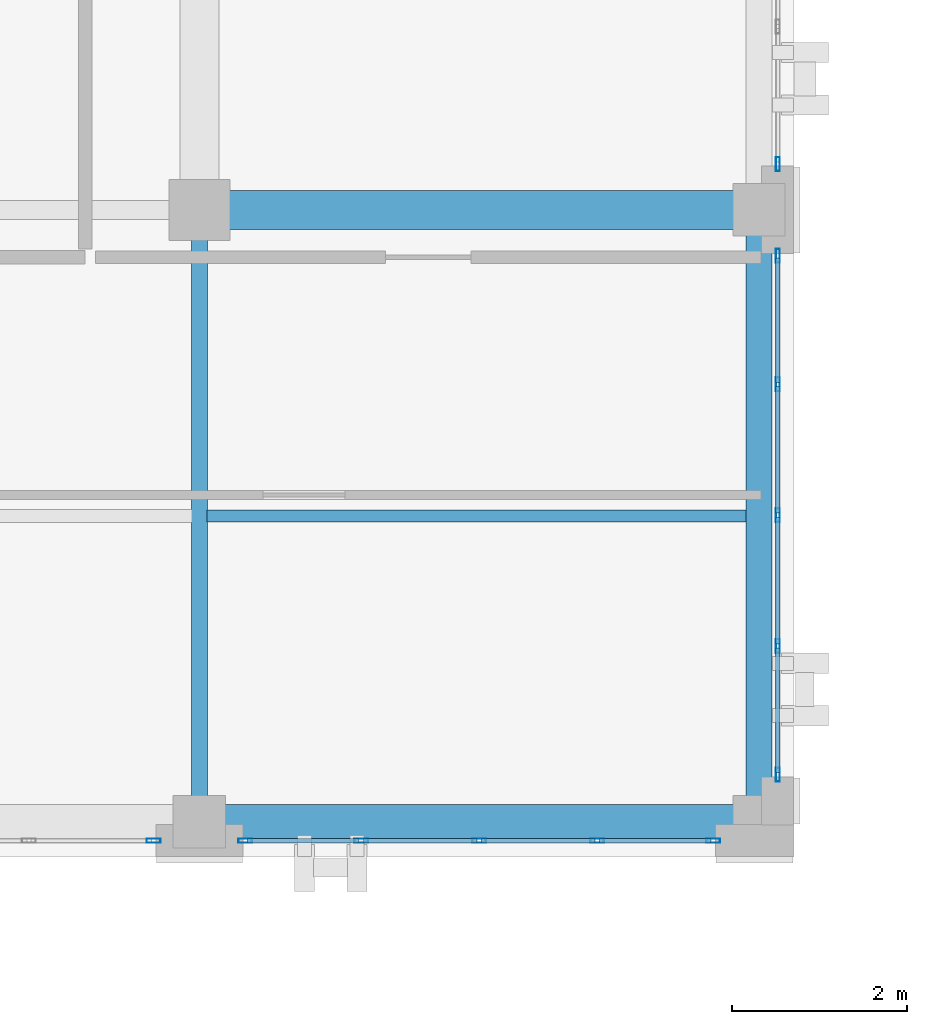
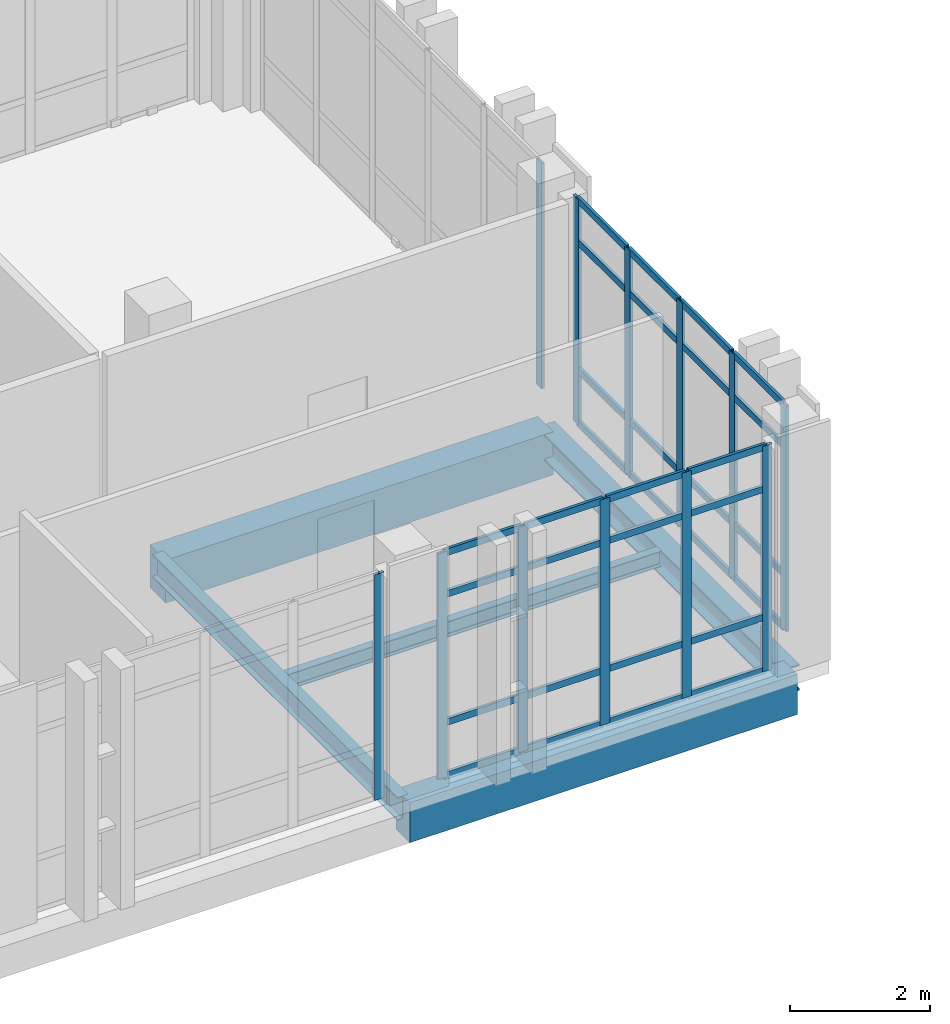
# One storey, part 26 of 77: 44 members, 5 beams, 4 elements without a shape of their own.
"""IFC4 building model written with IfcOpenShell, lengths in metres."""

from ifc_helpers import new_model, si_unit, direction, frame, origin, origin_2d, place, context, subcontext, project, spatial, rectangle, hollow_rectangle, i_section, extrude, material, layer, layer_set, material_profile, profile_set, type_object, element, aggregate, save


model = new_model("IFC4")

# Units and contexts
model_context = context("Model", 3, precision=1e-05, world=origin(), true_north=direction((0.0, 1.0)))
body_context = subcontext(model_context, "Body", "Model", "MODEL_VIEW")
ifc_project = project(units=[si_unit("LENGTHUNIT", "METRE"), si_unit("AREAUNIT", "SQUARE_METRE"), si_unit("VOLUMEUNIT", "CUBIC_METRE"), si_unit("PLANEANGLEUNIT", "RADIAN"), si_unit("MASSUNIT", "GRAM", prefix="KILO")], contexts=[model_context])

# Site, building, storey
site_placement = place(None, origin())
site = spatial("IfcSite", under=ifc_project, at=site_placement, CompositionType="ELEMENT")
building_placement = place(site_placement, origin())
building = spatial("IfcBuilding", under=site, at=building_placement, Name="Qalavern Law Courts", CompositionType="ELEMENT")
storey_placement = place(building_placement, frame((0.0, 0.0, 27.0)))
storey = spatial("IfcBuildingStorey", under=building, at=storey_placement, Name="L06", CompositionType="ELEMENT", Elevation=27.0)

# Curtain wall, member
ifc_material_1 = material(Name="Anodised aluminium and insulated glazing", Category="aluminium")
ifc_layer = layer(ifc_material_1, 0.166015625)
ifc_layer_set = layer_set([ifc_layer], Name="Anodised aluminium and insulated glazing")
curtain_wall_type = type_object("IfcCurtainWallType", Name="ENV-CW-LIB", PredefinedType="USERDEFINED", material=ifc_layer_set)
curtain_wall_1_placement = place(storey_placement, origin())
curtain_wall_1 = element("IfcCurtainWall", 1, at=curtain_wall_1_placement, inside=storey, type_object=curtain_wall_type, Name="V5 unitised curtain wall L06 south 4", ObjectType="UNITISED CURTAIN WALL", PredefinedType="USERDEFINED")
ifc_material_2 = material(Name="Anodised aluminium", Category="aluminium")
ifc_material_profile_1 = material_profile(ifc_material_2, hollow_rectangle(XDim=0.048095703125, YDim=0.159912109375, WallThickness=0.00390625, at=origin_2d()), Name="ALU MULLION 48x160")
ifc_profile_set_1 = profile_set([ifc_material_profile_1], Name="Anodised aluminium")
member_type_1 = type_object("IfcMemberType", Name="ENV-CWM-48x160", PredefinedType="MULLION", material=ifc_profile_set_1)
member_1_placement = place(storey_placement, frame((51.075927734375, 96.385009765625, 0.0), z_axis=(0.0, 0.0, 1.0), x_axis=(0.0, 1.0, 0.0)))
member_1 = element("IfcMember", 2, at=member_1_placement, type_object=member_type_1, Name="CW-05 mullion 5", PredefinedType="MULLION", context=body_context, shape_type="SweptSolid", body=[
    extrude(hollow_rectangle(XDim=0.048095703125, YDim=0.159912109375, WallThickness=0.00390625, at=origin_2d()), origin(), (0.0, 0.0, 1.0), 3.93505859375),
])
aggregate(curtain_wall_1, [member_1])

# Curtain wall, members
curtain_wall_2_placement = place(storey_placement, origin())
curtain_wall_2 = element("IfcCurtainWall", 3, at=curtain_wall_2_placement, inside=storey, type_object=curtain_wall_type, Name="V5 unitised curtain wall L06 south 5", ObjectType="UNITISED CURTAIN WALL", PredefinedType="USERDEFINED")
member_2_placement = place(storey_placement, frame((52.1240234375, 96.385009765625, 0.0), z_axis=(0.0, 0.0, 1.0), x_axis=(0.0, 1.0, 0.0)))
member_2 = element("IfcMember", 4, at=member_2_placement, type_object=member_type_1, Name="CW-05 mullion 1", PredefinedType="MULLION", context=body_context, shape_type="SweptSolid", body=[
    extrude(hollow_rectangle(XDim=0.048095703125, YDim=0.159912109375, WallThickness=0.00390625, at=origin_2d()), origin(), (0.0, 0.0, 1.0), 3.93505859375),
])
member_3_placement = place(storey_placement, frame((53.449951171875, 96.385009765625, 0.0), z_axis=(0.0, 0.0, 1.0), x_axis=(0.0, 1.0, 0.0)))
member_3 = element("IfcMember", 5, at=member_3_placement, type_object=member_type_1, Name="CW-05 mullion 2", PredefinedType="MULLION", context=body_context, shape_type="SweptSolid", body=[
    extrude(hollow_rectangle(XDim=0.048095703125, YDim=0.159912109375, WallThickness=0.00390625, at=origin_2d()), origin(), (0.0, 0.0, 1.0), 3.93505859375),
])
member_4_placement = place(storey_placement, frame((54.800048828125, 96.385009765625, 0.0), z_axis=(0.0, 0.0, 1.0), x_axis=(0.0, 1.0, 0.0)))
member_4 = element("IfcMember", 6, at=member_4_placement, type_object=member_type_1, Name="CW-05 mullion 3", PredefinedType="MULLION", context=body_context, shape_type="SweptSolid", body=[
    extrude(hollow_rectangle(XDim=0.048095703125, YDim=0.159912109375, WallThickness=0.00390625, at=origin_2d()), origin(), (0.0, 0.0, 1.0), 3.93505859375),
])
member_5_placement = place(storey_placement, frame((56.14990234375, 96.385009765625, 0.0), z_axis=(0.0, 0.0, 1.0), x_axis=(0.0, 1.0, 0.0)))
member_5 = element("IfcMember", 7, at=member_5_placement, type_object=member_type_1, Name="CW-05 mullion 4", PredefinedType="MULLION", context=body_context, shape_type="SweptSolid", body=[
    extrude(hollow_rectangle(XDim=0.048095703125, YDim=0.159912109375, WallThickness=0.00390625, at=origin_2d()), origin(), (0.0, 0.0, 1.0), 3.93505859375),
])
member_6_placement = place(storey_placement, frame((57.47607421875, 96.385009765625, 0.0), z_axis=(0.0, 0.0, 1.0), x_axis=(0.0, 1.0, 0.0)))
member_6 = element("IfcMember", 8, at=member_6_placement, type_object=member_type_1, Name="CW-05 mullion 5", PredefinedType="MULLION", context=body_context, shape_type="SweptSolid", body=[
    extrude(hollow_rectangle(XDim=0.048095703125, YDim=0.159912109375, WallThickness=0.00390625, at=origin_2d()), origin(), (0.0, 0.0, 1.0), 3.93505859375),
])

curtain_wall_3_placement = place(storey_placement, origin())
curtain_wall_3 = element("IfcCurtainWall", 9, at=curtain_wall_3_placement, inside=storey, type_object=curtain_wall_type, Name="V5 unitised curtain wall L06 east 1", ObjectType="UNITISED CURTAIN WALL", PredefinedType="USERDEFINED")
member_7_placement = place(storey_placement, frame((58.215087890625, 97.138916015625, 0.0), z_axis=(0.0, 0.0, 1.0), x_axis=(-1.0, 0.0, 0.0)))
member_7 = element("IfcMember", 10, at=member_7_placement, type_object=member_type_1, Name="CW-05 mullion 1", PredefinedType="MULLION", context=body_context, shape_type="SweptSolid", body=[
    extrude(hollow_rectangle(XDim=0.048095703125, YDim=0.159912109375, WallThickness=0.00390625, at=origin_2d()), origin(), (0.0, 0.0, 1.0), 3.93505859375),
])
member_8_placement = place(storey_placement, frame((58.215087890625, 98.611328125, 0.0), z_axis=(0.0, 0.0, 1.0), x_axis=(-1.0, 0.0, 0.0)))
member_8 = element("IfcMember", 11, at=member_8_placement, type_object=member_type_1, Name="CW-05 mullion 2", PredefinedType="MULLION", context=body_context, shape_type="SweptSolid", body=[
    extrude(hollow_rectangle(XDim=0.048095703125, YDim=0.159912109375, WallThickness=0.00390625, at=origin_2d()), origin(), (0.0, 0.0, 1.0), 3.93505859375),
])
member_9_placement = place(storey_placement, frame((58.215087890625, 100.107421875, 0.0), z_axis=(0.0, 0.0, 1.0), x_axis=(-1.0, 0.0, 0.0)))
member_9 = element("IfcMember", 12, at=member_9_placement, type_object=member_type_1, Name="CW-05 mullion 3", PredefinedType="MULLION", context=body_context, shape_type="SweptSolid", body=[
    extrude(hollow_rectangle(XDim=0.048095703125, YDim=0.159912109375, WallThickness=0.00390625, at=origin_2d()), origin(), (0.0, 0.0, 1.0), 3.93505859375),
])
member_10_placement = place(storey_placement, frame((58.215087890625, 101.603759765625, 0.0), z_axis=(0.0, 0.0, 1.0), x_axis=(-1.0, 0.0, 0.0)))
member_10 = element("IfcMember", 13, at=member_10_placement, type_object=member_type_1, Name="CW-05 mullion 4", PredefinedType="MULLION", context=body_context, shape_type="SweptSolid", body=[
    extrude(hollow_rectangle(XDim=0.048095703125, YDim=0.159912109375, WallThickness=0.00390625, at=origin_2d()), origin(), (0.0, 0.0, 1.0), 3.93505859375),
])
member_11_placement = place(storey_placement, frame((58.215087890625, 103.075927734375, 0.0), z_axis=(0.0, 0.0, 1.0), x_axis=(-1.0, 0.0, 0.0)))
member_11 = element("IfcMember", 14, at=member_11_placement, type_object=member_type_1, Name="CW-05 mullion 5", PredefinedType="MULLION", context=body_context, shape_type="SweptSolid", body=[
    extrude(hollow_rectangle(XDim=0.048095703125, YDim=0.159912109375, WallThickness=0.00390625, at=origin_2d()), origin(), (0.0, 0.0, 1.0), 3.93505859375),
])

# Curtain wall, member
curtain_wall_4_placement = place(storey_placement, origin())
curtain_wall_4 = element("IfcCurtainWall", 15, at=curtain_wall_4_placement, inside=storey, type_object=curtain_wall_type, Name="V5 unitised curtain wall L06 east 2", ObjectType="UNITISED CURTAIN WALL", PredefinedType="USERDEFINED")
member_12_placement = place(storey_placement, frame((58.215087890625, 104.1240234375, 0.0), z_axis=(0.0, 0.0, 1.0), x_axis=(-1.0, 0.0, 0.0)))
member_12 = element("IfcMember", 16, at=member_12_placement, type_object=member_type_1, Name="CW-05 mullion 1", PredefinedType="MULLION", context=body_context, shape_type="SweptSolid", body=[
    extrude(hollow_rectangle(XDim=0.048095703125, YDim=0.159912109375, WallThickness=0.00390625, at=origin_2d()), origin(), (0.0, 0.0, 1.0), 3.93505859375),
])
aggregate(curtain_wall_4, [member_12])

# Member
ifc_material_profile_2 = material_profile(ifc_material_2, hollow_rectangle(XDim=0.048095703125, YDim=0.1201171875, WallThickness=0.00390625, at=origin_2d()), Name="ALU TRANSOM 48x120")
ifc_profile_set_2 = profile_set([ifc_material_profile_2], Name="Anodised aluminium")
member_type_2 = type_object("IfcMemberType", Name="ENV-CWT-48x120", PredefinedType="USERDEFINED", material=ifc_profile_set_2)
member_13_placement = place(storey_placement, frame((52.14794921875, 96.385009765625, 0.02392578125), z_axis=(1.0, 0.0, 0.0), x_axis=(0.0, 1.0, 0.0)))
member_13 = element("IfcMember", 17, at=member_13_placement, type_object=member_type_2, Name="CW-05 transom 1.1", ObjectType="TRANSOM", PredefinedType="USERDEFINED", context=body_context, shape_type="SweptSolid", body=[
    extrude(hollow_rectangle(XDim=0.048095703125, YDim=0.1201171875, WallThickness=0.00390625, at=origin_2d()), origin(), (0.0, 0.0, 1.0), 1.278076171875),
])

member_14_placement = place(storey_placement, frame((52.14794921875, 96.385009765625, 0.949951171875), z_axis=(1.0, 0.0, 0.0), x_axis=(0.0, 1.0, 0.0)))
member_14 = element("IfcMember", 18, at=member_14_placement, type_object=member_type_2, Name="CW-05 transom 1.2", ObjectType="TRANSOM", PredefinedType="USERDEFINED", context=body_context, shape_type="SweptSolid", body=[
    extrude(hollow_rectangle(XDim=0.048095703125, YDim=0.1201171875, WallThickness=0.00390625, at=origin_2d()), origin(), (0.0, 0.0, 1.0), 1.278076171875),
])

member_15_placement = place(storey_placement, frame((52.14794921875, 96.385009765625, 3.18505859375), z_axis=(1.0, 0.0, 0.0), x_axis=(0.0, 1.0, 0.0)))
member_15 = element("IfcMember", 19, at=member_15_placement, type_object=member_type_2, Name="CW-05 transom 1.3", ObjectType="TRANSOM", PredefinedType="USERDEFINED", context=body_context, shape_type="SweptSolid", body=[
    extrude(hollow_rectangle(XDim=0.048095703125, YDim=0.1201171875, WallThickness=0.00390625, at=origin_2d()), origin(), (0.0, 0.0, 1.0), 1.278076171875),
])

member_16_placement = place(storey_placement, frame((52.14794921875, 96.385009765625, 3.910888671875), z_axis=(1.0, 0.0, 0.0), x_axis=(0.0, 1.0, 0.0)))
member_16 = element("IfcMember", 20, at=member_16_placement, type_object=member_type_2, Name="CW-05 transom 1.4", ObjectType="TRANSOM", PredefinedType="USERDEFINED", context=body_context, shape_type="SweptSolid", body=[
    extrude(hollow_rectangle(XDim=0.048095703125, YDim=0.1201171875, WallThickness=0.00390625, at=origin_2d()), origin(), (0.0, 0.0, 1.0), 1.278076171875),
])

member_17_placement = place(storey_placement, frame((53.47412109375, 96.385009765625, 0.02392578125), z_axis=(1.0, 0.0, 0.0), x_axis=(0.0, 1.0, 0.0)))
member_17 = element("IfcMember", 21, at=member_17_placement, type_object=member_type_2, Name="CW-05 transom 2.1", ObjectType="TRANSOM", PredefinedType="USERDEFINED", context=body_context, shape_type="SweptSolid", body=[
    extrude(hollow_rectangle(XDim=0.048095703125, YDim=0.1201171875, WallThickness=0.00390625, at=origin_2d()), origin(), (0.0, 0.0, 1.0), 1.3017578125),
])

member_18_placement = place(storey_placement, frame((53.47412109375, 96.385009765625, 0.949951171875), z_axis=(1.0, 0.0, 0.0), x_axis=(0.0, 1.0, 0.0)))
member_18 = element("IfcMember", 22, at=member_18_placement, type_object=member_type_2, Name="CW-05 transom 2.2", ObjectType="TRANSOM", PredefinedType="USERDEFINED", context=body_context, shape_type="SweptSolid", body=[
    extrude(hollow_rectangle(XDim=0.048095703125, YDim=0.1201171875, WallThickness=0.00390625, at=origin_2d()), origin(), (0.0, 0.0, 1.0), 1.3017578125),
])

member_19_placement = place(storey_placement, frame((53.47412109375, 96.385009765625, 3.18505859375), z_axis=(1.0, 0.0, 0.0), x_axis=(0.0, 1.0, 0.0)))
member_19 = element("IfcMember", 23, at=member_19_placement, type_object=member_type_2, Name="CW-05 transom 2.3", ObjectType="TRANSOM", PredefinedType="USERDEFINED", context=body_context, shape_type="SweptSolid", body=[
    extrude(hollow_rectangle(XDim=0.048095703125, YDim=0.1201171875, WallThickness=0.00390625, at=origin_2d()), origin(), (0.0, 0.0, 1.0), 1.3017578125),
])

member_20_placement = place(storey_placement, frame((53.47412109375, 96.385009765625, 3.910888671875), z_axis=(1.0, 0.0, 0.0), x_axis=(0.0, 1.0, 0.0)))
member_20 = element("IfcMember", 24, at=member_20_placement, type_object=member_type_2, Name="CW-05 transom 2.4", ObjectType="TRANSOM", PredefinedType="USERDEFINED", context=body_context, shape_type="SweptSolid", body=[
    extrude(hollow_rectangle(XDim=0.048095703125, YDim=0.1201171875, WallThickness=0.00390625, at=origin_2d()), origin(), (0.0, 0.0, 1.0), 1.3017578125),
])

member_21_placement = place(storey_placement, frame((54.823974609375, 96.385009765625, 0.02392578125), z_axis=(1.0, 0.0, 0.0), x_axis=(0.0, 1.0, 0.0)))
member_21 = element("IfcMember", 25, at=member_21_placement, type_object=member_type_2, Name="CW-05 transom 3.1", ObjectType="TRANSOM", PredefinedType="USERDEFINED", context=body_context, shape_type="SweptSolid", body=[
    extrude(hollow_rectangle(XDim=0.048095703125, YDim=0.1201171875, WallThickness=0.00390625, at=origin_2d()), origin(), (0.0, 0.0, 1.0), 1.302001953125),
])

member_22_placement = place(storey_placement, frame((54.823974609375, 96.385009765625, 0.949951171875), z_axis=(1.0, 0.0, 0.0), x_axis=(0.0, 1.0, 0.0)))
member_22 = element("IfcMember", 26, at=member_22_placement, type_object=member_type_2, Name="CW-05 transom 3.2", ObjectType="TRANSOM", PredefinedType="USERDEFINED", context=body_context, shape_type="SweptSolid", body=[
    extrude(hollow_rectangle(XDim=0.048095703125, YDim=0.1201171875, WallThickness=0.00390625, at=origin_2d()), origin(), (0.0, 0.0, 1.0), 1.302001953125),
])

member_23_placement = place(storey_placement, frame((54.823974609375, 96.385009765625, 3.18505859375), z_axis=(1.0, 0.0, 0.0), x_axis=(0.0, 1.0, 0.0)))
member_23 = element("IfcMember", 27, at=member_23_placement, type_object=member_type_2, Name="CW-05 transom 3.3", ObjectType="TRANSOM", PredefinedType="USERDEFINED", context=body_context, shape_type="SweptSolid", body=[
    extrude(hollow_rectangle(XDim=0.048095703125, YDim=0.1201171875, WallThickness=0.00390625, at=origin_2d()), origin(), (0.0, 0.0, 1.0), 1.302001953125),
])

member_24_placement = place(storey_placement, frame((54.823974609375, 96.385009765625, 3.910888671875), z_axis=(1.0, 0.0, 0.0), x_axis=(0.0, 1.0, 0.0)))
member_24 = element("IfcMember", 28, at=member_24_placement, type_object=member_type_2, Name="CW-05 transom 3.4", ObjectType="TRANSOM", PredefinedType="USERDEFINED", context=body_context, shape_type="SweptSolid", body=[
    extrude(hollow_rectangle(XDim=0.048095703125, YDim=0.1201171875, WallThickness=0.00390625, at=origin_2d()), origin(), (0.0, 0.0, 1.0), 1.302001953125),
])

member_25_placement = place(storey_placement, frame((56.174072265625, 96.385009765625, 0.02392578125), z_axis=(1.0, 0.0, 0.0), x_axis=(0.0, 1.0, 0.0)))
member_25 = element("IfcMember", 29, at=member_25_placement, type_object=member_type_2, Name="CW-05 transom 4.1", ObjectType="TRANSOM", PredefinedType="USERDEFINED", context=body_context, shape_type="SweptSolid", body=[
    extrude(hollow_rectangle(XDim=0.048095703125, YDim=0.1201171875, WallThickness=0.00390625, at=origin_2d()), origin(), (0.0, 0.0, 1.0), 1.27783203125),
])

member_26_placement = place(storey_placement, frame((56.174072265625, 96.385009765625, 0.949951171875), z_axis=(1.0, 0.0, 0.0), x_axis=(0.0, 1.0, 0.0)))
member_26 = element("IfcMember", 30, at=member_26_placement, type_object=member_type_2, Name="CW-05 transom 4.2", ObjectType="TRANSOM", PredefinedType="USERDEFINED", context=body_context, shape_type="SweptSolid", body=[
    extrude(hollow_rectangle(XDim=0.048095703125, YDim=0.1201171875, WallThickness=0.00390625, at=origin_2d()), origin(), (0.0, 0.0, 1.0), 1.27783203125),
])

member_27_placement = place(storey_placement, frame((56.174072265625, 96.385009765625, 3.18505859375), z_axis=(1.0, 0.0, 0.0), x_axis=(0.0, 1.0, 0.0)))
member_27 = element("IfcMember", 31, at=member_27_placement, type_object=member_type_2, Name="CW-05 transom 4.3", ObjectType="TRANSOM", PredefinedType="USERDEFINED", context=body_context, shape_type="SweptSolid", body=[
    extrude(hollow_rectangle(XDim=0.048095703125, YDim=0.1201171875, WallThickness=0.00390625, at=origin_2d()), origin(), (0.0, 0.0, 1.0), 1.27783203125),
])

member_28_placement = place(storey_placement, frame((56.174072265625, 96.385009765625, 3.910888671875), z_axis=(1.0, 0.0, 0.0), x_axis=(0.0, 1.0, 0.0)))
member_28 = element("IfcMember", 32, at=member_28_placement, type_object=member_type_2, Name="CW-05 transom 4.4", ObjectType="TRANSOM", PredefinedType="USERDEFINED", context=body_context, shape_type="SweptSolid", body=[
    extrude(hollow_rectangle(XDim=0.048095703125, YDim=0.1201171875, WallThickness=0.00390625, at=origin_2d()), origin(), (0.0, 0.0, 1.0), 1.27783203125),
])

aggregate(curtain_wall_2, [member_2, member_3, member_4, member_5, member_6, member_13, member_14, member_15, member_16, member_17, member_18, member_19, member_20, member_21, member_22, member_23, member_24, member_25, member_26, member_27, member_28])

member_29_placement = place(storey_placement, frame((58.215087890625, 97.1630859375, 0.02392578125), z_axis=(0.0, 1.0, 0.0), x_axis=(-1.0, 0.0, 0.0)))
member_29 = element("IfcMember", 33, at=member_29_placement, type_object=member_type_2, Name="CW-05 transom 1.1", ObjectType="TRANSOM", PredefinedType="USERDEFINED", context=body_context, shape_type="SweptSolid", body=[
    extrude(hollow_rectangle(XDim=0.048095703125, YDim=0.1201171875, WallThickness=0.00390625, at=origin_2d()), origin(), (0.0, 0.0, 1.0), 1.424072265625),
])

member_30_placement = place(storey_placement, frame((58.215087890625, 97.1630859375, 0.949951171875), z_axis=(0.0, 1.0, 0.0), x_axis=(-1.0, 0.0, 0.0)))
member_30 = element("IfcMember", 34, at=member_30_placement, type_object=member_type_2, Name="CW-05 transom 1.2", ObjectType="TRANSOM", PredefinedType="USERDEFINED", context=body_context, shape_type="SweptSolid", body=[
    extrude(hollow_rectangle(XDim=0.048095703125, YDim=0.1201171875, WallThickness=0.00390625, at=origin_2d()), origin(), (0.0, 0.0, 1.0), 1.424072265625),
])

member_31_placement = place(storey_placement, frame((58.215087890625, 97.1630859375, 3.18505859375), z_axis=(0.0, 1.0, 0.0), x_axis=(-1.0, 0.0, 0.0)))
member_31 = element("IfcMember", 35, at=member_31_placement, type_object=member_type_2, Name="CW-05 transom 1.3", ObjectType="TRANSOM", PredefinedType="USERDEFINED", context=body_context, shape_type="SweptSolid", body=[
    extrude(hollow_rectangle(XDim=0.048095703125, YDim=0.1201171875, WallThickness=0.00390625, at=origin_2d()), origin(), (0.0, 0.0, 1.0), 1.424072265625),
])

member_32_placement = place(storey_placement, frame((58.215087890625, 97.1630859375, 3.910888671875), z_axis=(0.0, 1.0, 0.0), x_axis=(-1.0, 0.0, 0.0)))
member_32 = element("IfcMember", 36, at=member_32_placement, type_object=member_type_2, Name="CW-05 transom 1.4", ObjectType="TRANSOM", PredefinedType="USERDEFINED", context=body_context, shape_type="SweptSolid", body=[
    extrude(hollow_rectangle(XDim=0.048095703125, YDim=0.1201171875, WallThickness=0.00390625, at=origin_2d()), origin(), (0.0, 0.0, 1.0), 1.424072265625),
])

member_33_placement = place(storey_placement, frame((58.215087890625, 98.63525390625, 0.02392578125), z_axis=(0.0, 1.0, 0.0), x_axis=(-1.0, 0.0, 0.0)))
member_33 = element("IfcMember", 37, at=member_33_placement, type_object=member_type_2, Name="CW-05 transom 2.1", ObjectType="TRANSOM", PredefinedType="USERDEFINED", context=body_context, shape_type="SweptSolid", body=[
    extrude(hollow_rectangle(XDim=0.048095703125, YDim=0.1201171875, WallThickness=0.00390625, at=origin_2d()), origin(), (0.0, 0.0, 1.0), 1.4482421875),
])

member_34_placement = place(storey_placement, frame((58.215087890625, 98.63525390625, 0.949951171875), z_axis=(0.0, 1.0, 0.0), x_axis=(-1.0, 0.0, 0.0)))
member_34 = element("IfcMember", 38, at=member_34_placement, type_object=member_type_2, Name="CW-05 transom 2.2", ObjectType="TRANSOM", PredefinedType="USERDEFINED", context=body_context, shape_type="SweptSolid", body=[
    extrude(hollow_rectangle(XDim=0.048095703125, YDim=0.1201171875, WallThickness=0.00390625, at=origin_2d()), origin(), (0.0, 0.0, 1.0), 1.4482421875),
])

member_35_placement = place(storey_placement, frame((58.215087890625, 98.63525390625, 3.18505859375), z_axis=(0.0, 1.0, 0.0), x_axis=(-1.0, 0.0, 0.0)))
member_35 = element("IfcMember", 39, at=member_35_placement, type_object=member_type_2, Name="CW-05 transom 2.3", ObjectType="TRANSOM", PredefinedType="USERDEFINED", context=body_context, shape_type="SweptSolid", body=[
    extrude(hollow_rectangle(XDim=0.048095703125, YDim=0.1201171875, WallThickness=0.00390625, at=origin_2d()), origin(), (0.0, 0.0, 1.0), 1.4482421875),
])

member_36_placement = place(storey_placement, frame((58.215087890625, 98.63525390625, 3.910888671875), z_axis=(0.0, 1.0, 0.0), x_axis=(-1.0, 0.0, 0.0)))
member_36 = element("IfcMember", 40, at=member_36_placement, type_object=member_type_2, Name="CW-05 transom 2.4", ObjectType="TRANSOM", PredefinedType="USERDEFINED", context=body_context, shape_type="SweptSolid", body=[
    extrude(hollow_rectangle(XDim=0.048095703125, YDim=0.1201171875, WallThickness=0.00390625, at=origin_2d()), origin(), (0.0, 0.0, 1.0), 1.4482421875),
])

member_37_placement = place(storey_placement, frame((58.215087890625, 100.131591796875, 0.02392578125), z_axis=(0.0, 1.0, 0.0), x_axis=(-1.0, 0.0, 0.0)))
member_37 = element("IfcMember", 41, at=member_37_placement, type_object=member_type_2, Name="CW-05 transom 3.1", ObjectType="TRANSOM", PredefinedType="USERDEFINED", context=body_context, shape_type="SweptSolid", body=[
    extrude(hollow_rectangle(XDim=0.048095703125, YDim=0.1201171875, WallThickness=0.00390625, at=origin_2d()), origin(), (0.0, 0.0, 1.0), 1.4482421875),
])

member_38_placement = place(storey_placement, frame((58.215087890625, 100.131591796875, 0.949951171875), z_axis=(0.0, 1.0, 0.0), x_axis=(-1.0, 0.0, 0.0)))
member_38 = element("IfcMember", 42, at=member_38_placement, type_object=member_type_2, Name="CW-05 transom 3.2", ObjectType="TRANSOM", PredefinedType="USERDEFINED", context=body_context, shape_type="SweptSolid", body=[
    extrude(hollow_rectangle(XDim=0.048095703125, YDim=0.1201171875, WallThickness=0.00390625, at=origin_2d()), origin(), (0.0, 0.0, 1.0), 1.4482421875),
])

member_39_placement = place(storey_placement, frame((58.215087890625, 100.131591796875, 3.18505859375), z_axis=(0.0, 1.0, 0.0), x_axis=(-1.0, 0.0, 0.0)))
member_39 = element("IfcMember", 43, at=member_39_placement, type_object=member_type_2, Name="CW-05 transom 3.3", ObjectType="TRANSOM", PredefinedType="USERDEFINED", context=body_context, shape_type="SweptSolid", body=[
    extrude(hollow_rectangle(XDim=0.048095703125, YDim=0.1201171875, WallThickness=0.00390625, at=origin_2d()), origin(), (0.0, 0.0, 1.0), 1.4482421875),
])

member_40_placement = place(storey_placement, frame((58.215087890625, 100.131591796875, 3.910888671875), z_axis=(0.0, 1.0, 0.0), x_axis=(-1.0, 0.0, 0.0)))
member_40 = element("IfcMember", 44, at=member_40_placement, type_object=member_type_2, Name="CW-05 transom 3.4", ObjectType="TRANSOM", PredefinedType="USERDEFINED", context=body_context, shape_type="SweptSolid", body=[
    extrude(hollow_rectangle(XDim=0.048095703125, YDim=0.1201171875, WallThickness=0.00390625, at=origin_2d()), origin(), (0.0, 0.0, 1.0), 1.4482421875),
])

member_41_placement = place(storey_placement, frame((58.215087890625, 101.627685546875, 0.02392578125), z_axis=(0.0, 1.0, 0.0), x_axis=(-1.0, 0.0, 0.0)))
member_41 = element("IfcMember", 45, at=member_41_placement, type_object=member_type_2, Name="CW-05 transom 4.1", ObjectType="TRANSOM", PredefinedType="USERDEFINED", context=body_context, shape_type="SweptSolid", body=[
    extrude(hollow_rectangle(XDim=0.048095703125, YDim=0.1201171875, WallThickness=0.00390625, at=origin_2d()), origin(), (0.0, 0.0, 1.0), 1.42431640625),
])

member_42_placement = place(storey_placement, frame((58.215087890625, 101.627685546875, 0.949951171875), z_axis=(0.0, 1.0, 0.0), x_axis=(-1.0, 0.0, 0.0)))
member_42 = element("IfcMember", 46, at=member_42_placement, type_object=member_type_2, Name="CW-05 transom 4.2", ObjectType="TRANSOM", PredefinedType="USERDEFINED", context=body_context, shape_type="SweptSolid", body=[
    extrude(hollow_rectangle(XDim=0.048095703125, YDim=0.1201171875, WallThickness=0.00390625, at=origin_2d()), origin(), (0.0, 0.0, 1.0), 1.42431640625),
])

member_43_placement = place(storey_placement, frame((58.215087890625, 101.627685546875, 3.18505859375), z_axis=(0.0, 1.0, 0.0), x_axis=(-1.0, 0.0, 0.0)))
member_43 = element("IfcMember", 47, at=member_43_placement, type_object=member_type_2, Name="CW-05 transom 4.3", ObjectType="TRANSOM", PredefinedType="USERDEFINED", context=body_context, shape_type="SweptSolid", body=[
    extrude(hollow_rectangle(XDim=0.048095703125, YDim=0.1201171875, WallThickness=0.00390625, at=origin_2d()), origin(), (0.0, 0.0, 1.0), 1.42431640625),
])

member_44_placement = place(storey_placement, frame((58.215087890625, 101.627685546875, 3.910888671875), z_axis=(0.0, 1.0, 0.0), x_axis=(-1.0, 0.0, 0.0)))
member_44 = element("IfcMember", 48, at=member_44_placement, type_object=member_type_2, Name="CW-05 transom 4.4", ObjectType="TRANSOM", PredefinedType="USERDEFINED", context=body_context, shape_type="SweptSolid", body=[
    extrude(hollow_rectangle(XDim=0.048095703125, YDim=0.1201171875, WallThickness=0.00390625, at=origin_2d()), origin(), (0.0, 0.0, 1.0), 1.42431640625),
])

aggregate(curtain_wall_3, [member_7, member_8, member_9, member_10, member_11, member_29, member_30, member_31, member_32, member_33, member_34, member_35, member_36, member_37, member_38, member_39, member_40, member_41, member_42, member_43, member_44])

# Beams
ifc_material_3 = material(Name="Steel S355", Category="steel")
ifc_material_profile_3 = material_profile(ifc_material_3, i_section(OverallWidth=0.179931640625, OverallDepth=0.39990234375, WebThickness=0.008544921875, FlangeThickness=0.013427734375, FilletRadius=0.02099609375, at=origin_2d()), Name="IPE 400")
ifc_profile_set_3 = profile_set([ifc_material_profile_3], Name="Steel S355")
beam_type_1 = type_object("IfcBeamType", Name="STR-BM-IPE400", PredefinedType="BEAM", material=ifc_profile_set_3)
beam_1_placement = place(storey_placement, frame((51.60009765625, 96.60009765625, -0.469970703125), z_axis=(0.0, 1.0, 0.0), x_axis=(-1.0, 0.0, 0.0)))
element("IfcBeam", 49, at=beam_1_placement, inside=storey, type_object=beam_type_1, Name="V5 Y-beam 4-1 L06", PredefinedType="BEAM", context=body_context, shape_type="SweptSolid", body=[
    extrude(i_section(OverallWidth=0.179931640625, OverallDepth=0.39990234375, WebThickness=0.008544921875, FlangeThickness=0.013427734375, FilletRadius=0.02099609375, at=origin_2d()), origin(), (0.0, 0.0, 1.0), 7.0),
])
ifc_material_4 = material(Name="Concrete C40/50", Category="concrete")
ifc_material_profile_4 = material_profile(ifc_material_4, rectangle(XDim=0.449951171875, YDim=0.75, at=origin_2d()), Name="RC 450x750")
ifc_profile_set_4 = profile_set([ifc_material_profile_4], Name="Concrete C40/50")
beam_type_2 = type_object("IfcBeamType", Name="STR-BM-RC450x750", PredefinedType="BEAM", material=ifc_profile_set_4)
beam_2_placement = place(storey_placement, frame((51.60009765625, 103.60009765625, -0.64501953125), z_axis=(1.0, 0.0, 0.0), x_axis=(0.0, 1.0, 0.0)))
element("IfcBeam", 50, at=beam_2_placement, inside=storey, type_object=beam_type_2, Name="V5 X-beam 2-4 L06", PredefinedType="BEAM", context=body_context, shape_type="SweptSolid", body=[
    extrude(rectangle(XDim=0.449951171875, YDim=0.75, at=origin_2d()), origin(), (0.0, 0.0, 1.0), 6.39990234375),
])
ifc_material_profile_5 = material_profile(ifc_material_3, i_section(OverallWidth=0.135009765625, OverallDepth=0.27001953125, WebThickness=0.006591796875, FlangeThickness=0.01025390625, FilletRadius=0.014892578125, at=origin_2d()), Name="IPE 270")
ifc_profile_set_5 = profile_set([ifc_material_profile_5], Name="Steel S355")
beam_type_3 = type_object("IfcBeamType", Name="STR-JST-IPE270", PredefinedType="JOIST", material=ifc_profile_set_5)
beam_3_placement = place(storey_placement, frame((51.68798828125, 100.10009765625, -0.405029296875), z_axis=(1.0, 0.0, 0.0), x_axis=(0.0, 1.0, 0.0)))
element("IfcBeam", 51, at=beam_3_placement, inside=storey, type_object=beam_type_3, Name="V5 secondary joist 4.1.1 L06", PredefinedType="JOIST", context=body_context, shape_type="SweptSolid", body=[
    extrude(i_section(OverallWidth=0.135009765625, OverallDepth=0.27001953125, WebThickness=0.006591796875, FlangeThickness=0.01025390625, FilletRadius=0.014892578125, at=origin_2d()), origin(), (0.0, 0.0, 1.0), 6.1640625),
])
ifc_material_profile_6 = material_profile(ifc_material_3, i_section(OverallWidth=0.300048828125, OverallDepth=0.449951171875, WebThickness=0.013916015625, FlangeThickness=0.02587890625, FilletRadius=0.027099609375, at=origin_2d()), Name="HEB 450")
ifc_profile_set_6 = profile_set([ifc_material_profile_6], Name="Steel S355")
beam_type_4 = type_object("IfcBeamType", Name="STR-SP-HEB450", PredefinedType="SPANDREL", material=ifc_profile_set_6)
beam_4_placement = place(storey_placement, frame((58.0, 96.60009765625, -0.4951171875), z_axis=(0.0, 1.0, 0.0), x_axis=(-1.0, 0.0, 0.0)))
element("IfcBeam", 52, at=beam_4_placement, inside=storey, type_object=beam_type_4, Name="V5 Y-beam 5-1 L06", PredefinedType="SPANDREL", context=body_context, shape_type="SweptSolid", body=[
    extrude(i_section(OverallWidth=0.300048828125, OverallDepth=0.449951171875, WebThickness=0.013916015625, FlangeThickness=0.02587890625, FilletRadius=0.027099609375, at=origin_2d()), origin(), (0.0, 0.0, 1.0), 7.0),
])
ifc_material_profile_7 = material_profile(ifc_material_4, rectangle(XDim=0.39990234375, YDim=0.699951171875, at=origin_2d()), Name="RC 400x700")
ifc_profile_set_7 = profile_set([ifc_material_profile_7], Name="Concrete C40/50")
beam_type_5 = type_object("IfcBeamType", Name="STR-SP-RC400x700", PredefinedType="SPANDREL", material=ifc_profile_set_7)
beam_5_placement = place(storey_placement, frame((51.60009765625, 96.60009765625, -0.6201171875), z_axis=(1.0, 0.0, 0.0), x_axis=(0.0, 1.0, 0.0)))
element("IfcBeam", 53, at=beam_5_placement, inside=storey, type_object=beam_type_5, Name="V5 X-beam 1-4 L06", PredefinedType="SPANDREL", context=body_context, shape_type="SweptSolid", body=[
    extrude(rectangle(XDim=0.39990234375, YDim=0.699951171875, at=origin_2d()), origin(), (0.0, 0.0, 1.0), 6.39990234375),
])

save(model, "model.ifc")
